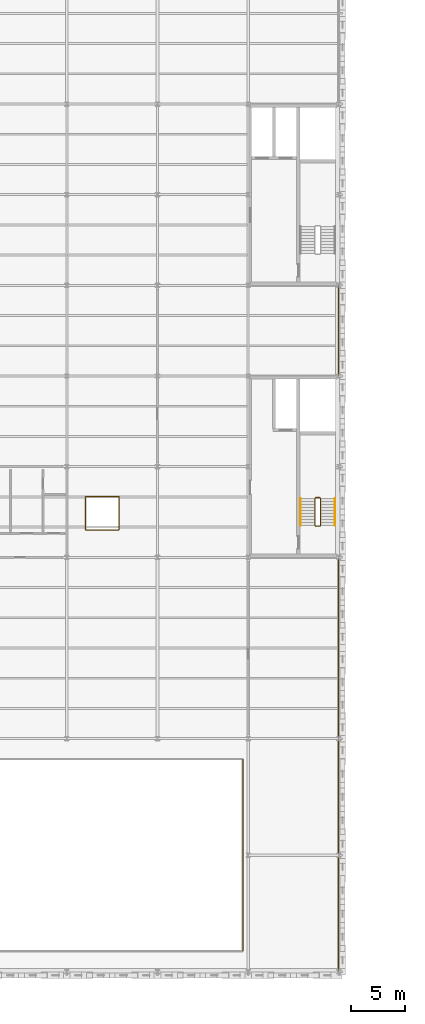
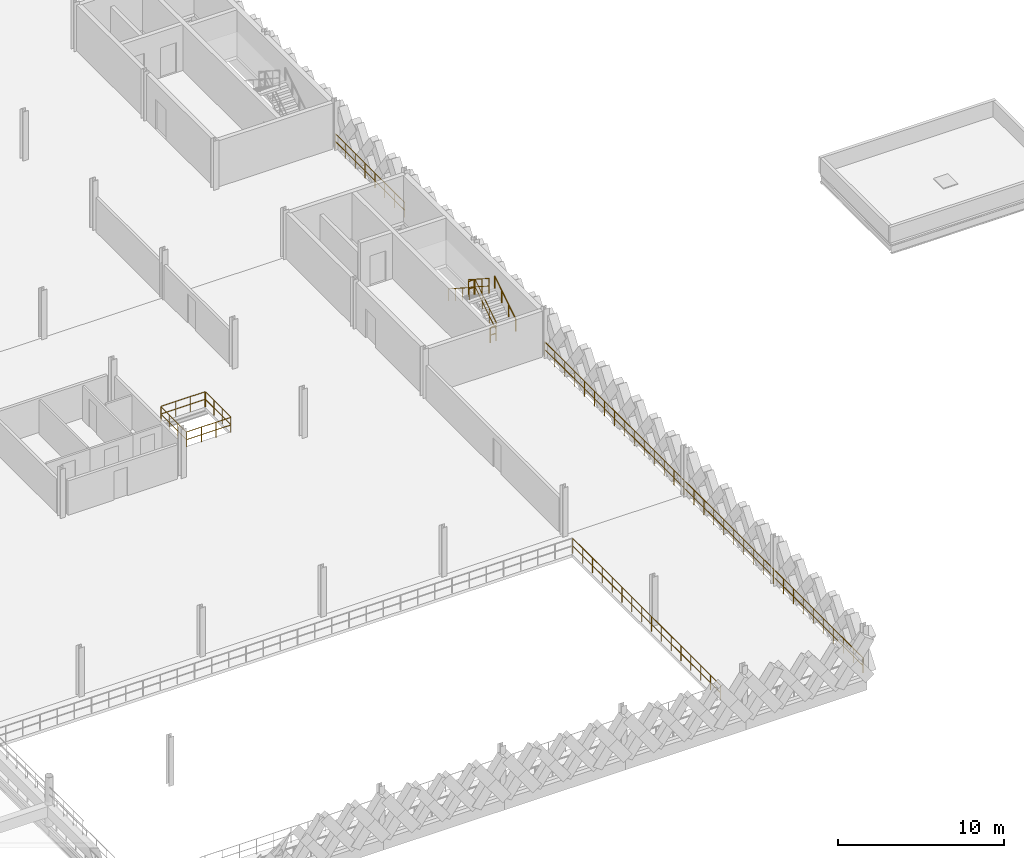
# One storey, part 57 of 62: 13 railings.
"""IFC4 building model written with IfcOpenShell, lengths in metres."""

from ifc_helpers import new_model, si_unit, direction, frame, origin, origin_2d, place, context, subcontext, project, spatial, circle, extrude, material, type_object, element, save


model = new_model("IFC4")

# Units and contexts
model_context = context("Model", 3, precision=1e-05, world=origin(), true_north=direction((0.0, 1.0)))
body_context = subcontext(model_context, "Body", "Model", "MODEL_VIEW")
ifc_project = project(units=[si_unit("LENGTHUNIT", "METRE"), si_unit("AREAUNIT", "SQUARE_METRE"), si_unit("VOLUMEUNIT", "CUBIC_METRE"), si_unit("PLANEANGLEUNIT", "RADIAN"), si_unit("MASSUNIT", "GRAM", prefix="KILO"), si_unit("THERMODYNAMICTEMPERATUREUNIT", "KELVIN"), si_unit("POWERUNIT", "WATT")], contexts=[model_context])

# Site, building, storey
site_placement = place(None, origin())
site = spatial("IfcSite", under=ifc_project, at=site_placement, CompositionType="ELEMENT")
building_placement = place(site_placement, origin())
building = spatial("IfcBuilding", under=site, at=building_placement, Name="Tembeka Court Mobility Hub", CompositionType="ELEMENT")
storey_placement = place(building_placement, frame((0.0, 0.0, 16.199951171875)))
storey = spatial("IfcBuildingStorey", under=building, at=storey_placement, Name="L04", CompositionType="ELEMENT", Elevation=16.199951171875)

# Railings
ifc_material_1 = material(Name="Painted galvanised steel balustrade", Category="steel")
railing_type_1 = type_object("IfcRailingType", Name="RL-GR01", PredefinedType="GUARDRAIL", material=ifc_material_1)
railing_1_placement = place(storey_placement, frame((68.97998046875, 40.949951171875, 0.0)))
element("IfcRailing", 1, at=railing_1_placement, inside=storey, type_object=railing_type_1, Name="Perimeter guard GR01-0135", PredefinedType="GUARDRAIL", context=body_context, shape_type="SweptSolid", body=[
    extrude(circle(Radius=0.02392578125, at=origin_2d()), frame((0.0, 0.0, 1.09619140625), z_axis=(1.0, 0.0, 0.0), x_axis=(0.0, 1.0, 0.0)), (0.0, 0.0, 1.0), 3.0400390625),
    extrude(circle(Radius=0.02392578125, at=origin_2d()), frame((0.0, 0.0, 0.5361328125), z_axis=(1.0, 0.0, 0.0), x_axis=(0.0, 1.0, 0.0)), (0.0, 0.0, 1.0), 3.0400390625),
    extrude(circle(Radius=0.02099609375, at=origin_2d()), origin(), (0.0, 0.0, 1.0), 1.072021484375),
    extrude(circle(Radius=0.02099609375, at=origin_2d()), frame((1.013427734375, 0.0, 0.0)), (0.0, 0.0, 1.0), 1.072021484375),
    extrude(circle(Radius=0.02099609375, at=origin_2d()), frame((2.026611328125, 0.0, 0.0)), (0.0, 0.0, 1.0), 1.072021484375),
    extrude(circle(Radius=0.02099609375, at=origin_2d()), frame((3.0400390625, 0.0, 0.0)), (0.0, 0.0, 1.0), 1.072021484375),
])
railing_2_placement = place(storey_placement, frame((72.050048828125, 40.97998046875, 0.0)))
element("IfcRailing", 2, at=railing_2_placement, inside=storey, type_object=railing_type_1, Name="Perimeter guard GR01-0136", PredefinedType="GUARDRAIL", context=body_context, shape_type="SweptSolid", body=[
    extrude(circle(Radius=0.02392578125, at=origin_2d()), frame((0.0, 0.0, 1.09619140625), z_axis=(0.0, 1.0, 0.0), x_axis=(-1.0, 0.0, 0.0)), (0.0, 0.0, 1.0), 3.0400390625),
    extrude(circle(Radius=0.02392578125, at=origin_2d()), frame((0.0, 0.0, 0.5361328125), z_axis=(0.0, 1.0, 0.0), x_axis=(-1.0, 0.0, 0.0)), (0.0, 0.0, 1.0), 3.0400390625),
    extrude(circle(Radius=0.02099609375, at=origin_2d()), origin(), (0.0, 0.0, 1.0), 1.072021484375),
    extrude(circle(Radius=0.02099609375, at=origin_2d()), frame((0.0, 1.013427734375, 0.0)), (0.0, 0.0, 1.0), 1.072021484375),
    extrude(circle(Radius=0.02099609375, at=origin_2d()), frame((0.0, 2.026611328125, 0.0)), (0.0, 0.0, 1.0), 1.072021484375),
    extrude(circle(Radius=0.02099609375, at=origin_2d()), frame((0.0, 3.0400390625, 0.0)), (0.0, 0.0, 1.0), 1.072021484375),
])
railing_3_placement = place(storey_placement, frame((72.02001953125, 44.050048828125, 0.0)))
element("IfcRailing", 3, at=railing_3_placement, inside=storey, type_object=railing_type_1, Name="Perimeter guard GR01-0137", PredefinedType="GUARDRAIL", context=body_context, shape_type="SweptSolid", body=[
    extrude(circle(Radius=0.02392578125, at=origin_2d()), frame((0.0, 0.0, 1.09619140625), z_axis=(-1.0, 0.0, 0.0), x_axis=(0.0, -1.0, 0.0)), (0.0, 0.0, 1.0), 3.0400390625),
    extrude(circle(Radius=0.02392578125, at=origin_2d()), frame((0.0, 0.0, 0.5361328125), z_axis=(-1.0, 0.0, 0.0), x_axis=(0.0, -1.0, 0.0)), (0.0, 0.0, 1.0), 3.0400390625),
    extrude(circle(Radius=0.02099609375, at=origin_2d()), origin(), (0.0, 0.0, 1.0), 1.072021484375),
    extrude(circle(Radius=0.02099609375, at=origin_2d()), frame((-1.013427734375, 0.0, 0.0)), (0.0, 0.0, 1.0), 1.072021484375),
    extrude(circle(Radius=0.02099609375, at=origin_2d()), frame((-2.026611328125, 0.0, 0.0)), (0.0, 0.0, 1.0), 1.072021484375),
    extrude(circle(Radius=0.02099609375, at=origin_2d()), frame((-3.0400390625, 0.0, 0.0)), (0.0, 0.0, 1.0), 1.072021484375),
])
railing_4_placement = place(storey_placement, frame((68.949951171875, 44.02001953125, 0.0)))
element("IfcRailing", 4, at=railing_4_placement, inside=storey, type_object=railing_type_1, Name="Perimeter guard GR01-0138", PredefinedType="GUARDRAIL", context=body_context, shape_type="SweptSolid", body=[
    extrude(circle(Radius=0.02392578125, at=origin_2d()), frame((0.0, 0.0, 1.09619140625), z_axis=(0.0, -1.0, 0.0), x_axis=(1.0, 0.0, 0.0)), (0.0, 0.0, 1.0), 3.0400390625),
    extrude(circle(Radius=0.02392578125, at=origin_2d()), frame((0.0, 0.0, 0.5361328125), z_axis=(0.0, -1.0, 0.0), x_axis=(1.0, 0.0, 0.0)), (0.0, 0.0, 1.0), 3.0400390625),
    extrude(circle(Radius=0.02099609375, at=origin_2d()), origin(), (0.0, 0.0, 1.0), 1.072021484375),
    extrude(circle(Radius=0.02099609375, at=origin_2d()), frame((0.0, -1.013427734375, 0.0)), (0.0, 0.0, 1.0), 1.072021484375),
    extrude(circle(Radius=0.02099609375, at=origin_2d()), frame((0.0, -2.026611328125, 0.0)), (0.0, 0.0, 1.0), 1.072021484375),
    extrude(circle(Radius=0.02099609375, at=origin_2d()), frame((0.0, -3.0400390625, 0.0)), (0.0, 0.0, 1.0), 1.072021484375),
])
railing_5_placement = place(storey_placement, frame((83.5, 1.929931640625, 0.0)))
element("IfcRailing", 5, at=railing_5_placement, inside=storey, type_object=railing_type_1, Name="Perimeter guard GR01-0140", PredefinedType="GUARDRAIL", context=body_context, shape_type="SweptSolid", body=[
    extrude(circle(Radius=0.02392578125, at=origin_2d()), frame((0.0, 0.0, 1.09619140625), z_axis=(0.0, 1.0, 0.0), x_axis=(-1.0, 0.0, 0.0)), (0.0, 0.0, 1.0), 17.739990234375),
    extrude(circle(Radius=0.02392578125, at=origin_2d()), frame((0.0, 0.0, 0.5361328125), z_axis=(0.0, 1.0, 0.0), x_axis=(-1.0, 0.0, 0.0)), (0.0, 0.0, 1.0), 17.739990234375),
    extrude(circle(Radius=0.02099609375, at=origin_2d()), origin(), (0.0, 0.0, 1.0), 1.072021484375),
    extrude(circle(Radius=0.02099609375, at=origin_2d()), frame((0.0, 1.1826171875, 0.0)), (0.0, 0.0, 1.0), 1.072021484375),
    extrude(circle(Radius=0.02099609375, at=origin_2d()), frame((0.0, 2.365234375, 0.0)), (0.0, 0.0, 1.0), 1.072021484375),
    extrude(circle(Radius=0.02099609375, at=origin_2d()), frame((0.0, 3.548095703125, 0.0)), (0.0, 0.0, 1.0), 1.072021484375),
    extrude(circle(Radius=0.02099609375, at=origin_2d()), frame((0.0, 4.730712890625, 0.0)), (0.0, 0.0, 1.0), 1.072021484375),
    extrude(circle(Radius=0.02099609375, at=origin_2d()), frame((0.0, 5.913330078125, 0.0)), (0.0, 0.0, 1.0), 1.072021484375),
    extrude(circle(Radius=0.02099609375, at=origin_2d()), frame((0.0, 7.095947265625, 0.0)), (0.0, 0.0, 1.0), 1.072021484375),
    extrude(circle(Radius=0.02099609375, at=origin_2d()), frame((0.0, 8.278564453125, 0.0)), (0.0, 0.0, 1.0), 1.072021484375),
    extrude(circle(Radius=0.02099609375, at=origin_2d()), frame((0.0, 9.46142578125, 0.0)), (0.0, 0.0, 1.0), 1.072021484375),
    extrude(circle(Radius=0.02099609375, at=origin_2d()), frame((0.0, 10.64404296875, 0.0)), (0.0, 0.0, 1.0), 1.072021484375),
    extrude(circle(Radius=0.02099609375, at=origin_2d()), frame((0.0, 11.82666015625, 0.0)), (0.0, 0.0, 1.0), 1.072021484375),
    extrude(circle(Radius=0.02099609375, at=origin_2d()), frame((0.0, 13.00927734375, 0.0)), (0.0, 0.0, 1.0), 1.072021484375),
    extrude(circle(Radius=0.02099609375, at=origin_2d()), frame((0.0, 14.19189453125, 0.0)), (0.0, 0.0, 1.0), 1.072021484375),
    extrude(circle(Radius=0.02099609375, at=origin_2d()), frame((0.0, 15.374755859375, 0.0)), (0.0, 0.0, 1.0), 1.072021484375),
    extrude(circle(Radius=0.02099609375, at=origin_2d()), frame((0.0, 16.557373046875, 0.0)), (0.0, 0.0, 1.0), 1.072021484375),
    extrude(circle(Radius=0.02099609375, at=origin_2d()), frame((0.0, 17.739990234375, 0.0)), (0.0, 0.0, 1.0), 1.072021484375),
])
railing_6_placement = place(storey_placement, frame((90.699951171875, 41.35009765625, 0.179931640625)))
element("IfcRailing", 6, at=railing_6_placement, inside=storey, type_object=railing_type_1, Name="L04 ST04 stair guard 1-1", PredefinedType="GUARDRAIL", context=body_context, shape_type="SweptSolid", body=[
    extrude(circle(Radius=0.02392578125, at=origin_2d()), frame((0.0, 0.0, 1.09619140625), z_axis=(0.0, 0.841162588446, 0.540782303519), x_axis=(-1.0, 0.0, 0.0)), (0.0, 0.0, 1.0), 2.995849609375),
    extrude(circle(Radius=0.02392578125, at=origin_2d()), frame((0.0, 0.0, 0.5361328125), z_axis=(0.0, 0.841162588446, 0.540782303519), x_axis=(-1.0, 0.0, 0.0)), (0.0, 0.0, 1.0), 2.995849609375),
    extrude(circle(Radius=0.02099609375, at=origin_2d()), origin(), (0.0, 0.0, 1.0), 1.072021484375),
    extrude(circle(Radius=0.02099609375, at=origin_2d()), frame((0.0, 0.840087890625, 0.5400390625)), (0.0, 0.0, 1.0), 1.072021484375),
    extrude(circle(Radius=0.02099609375, at=origin_2d()), frame((0.0, 1.679931640625, 1.080078125)), (0.0, 0.0, 1.0), 1.072021484375),
    extrude(circle(Radius=0.02099609375, at=origin_2d()), frame((0.0, 2.52001953125, 1.6201171875)), (0.0, 0.0, 1.0), 1.072021484375),
])
railing_7_placement = place(storey_placement, frame((90.64990234375, 43.919921875, 1.800048828125)))
element("IfcRailing", 7, at=railing_7_placement, inside=storey, type_object=railing_type_1, Name="L04 ST04 stair guard 2-1", PredefinedType="GUARDRAIL", context=body_context, shape_type="SweptSolid", body=[
    extrude(circle(Radius=0.02392578125, at=origin_2d()), frame((0.0, 0.0, 1.09619140625), z_axis=(-1.0, 0.0, 0.0), x_axis=(0.0, -1.0, 0.0)), (0.0, 0.0, 1.0), 0.39990234375),
    extrude(circle(Radius=0.02392578125, at=origin_2d()), frame((0.0, 0.0, 0.5361328125), z_axis=(-1.0, 0.0, 0.0), x_axis=(0.0, -1.0, 0.0)), (0.0, 0.0, 1.0), 0.39990234375),
    extrude(circle(Radius=0.02099609375, at=origin_2d()), origin(), (0.0, 0.0, 1.0), 1.072021484375),
    extrude(circle(Radius=0.02099609375, at=origin_2d()), frame((-0.39990234375, 0.0, 0.0)), (0.0, 0.0, 1.0), 1.072021484375),
])
railing_8_placement = place(storey_placement, frame((90.199951171875, 43.8701171875, 1.97998046875)))
element("IfcRailing", 8, at=railing_8_placement, inside=storey, type_object=railing_type_1, Name="L04 ST04 stair guard 3-1", PredefinedType="GUARDRAIL", context=body_context, shape_type="SweptSolid", body=[
    extrude(circle(Radius=0.02392578125, at=origin_2d()), frame((0.0, 0.0, 1.09619140625), z_axis=(0.0, -0.841162588446, 0.540782303519), x_axis=(1.0, 0.0, 0.0)), (0.0, 0.0, 1.0), 2.995849609375),
    extrude(circle(Radius=0.02392578125, at=origin_2d()), frame((0.0, 0.0, 0.5361328125), z_axis=(0.0, -0.841162588446, 0.540782303519), x_axis=(1.0, 0.0, 0.0)), (0.0, 0.0, 1.0), 2.995849609375),
    extrude(circle(Radius=0.02099609375, at=origin_2d()), origin(), (0.0, 0.0, 1.0), 1.072021484375),
    extrude(circle(Radius=0.02099609375, at=origin_2d()), frame((0.0, -0.840087890625, 0.5400390625)), (0.0, 0.0, 1.0), 1.072021484375),
    extrude(circle(Radius=0.02099609375, at=origin_2d()), frame((0.0, -1.679931640625, 1.080078125)), (0.0, 0.0, 1.0), 1.072021484375),
    extrude(circle(Radius=0.02099609375, at=origin_2d()), frame((0.0, -2.52001953125, 1.6201171875)), (0.0, 0.0, 1.0), 1.072021484375),
])
railing_9_placement = place(storey_placement, frame((90.64990234375, 41.300048828125, 0.0)))
element("IfcRailing", 9, at=railing_9_placement, inside=storey, type_object=railing_type_1, Name="L04 ST04 stair guard 4-1", PredefinedType="GUARDRAIL", context=body_context, shape_type="SweptSolid", body=[
    extrude(circle(Radius=0.02392578125, at=origin_2d()), frame((0.0, 0.0, 1.09619140625), z_axis=(-1.0, 0.0, 0.0), x_axis=(0.0, -1.0, 0.0)), (0.0, 0.0, 1.0), 0.39990234375),
    extrude(circle(Radius=0.02392578125, at=origin_2d()), frame((0.0, 0.0, 0.5361328125), z_axis=(-1.0, 0.0, 0.0), x_axis=(0.0, -1.0, 0.0)), (0.0, 0.0, 1.0), 0.39990234375),
    extrude(circle(Radius=0.02099609375, at=origin_2d()), origin(), (0.0, 0.0, 1.0), 1.072021484375),
    extrude(circle(Radius=0.02099609375, at=origin_2d()), frame((-0.39990234375, 0.0, 0.0)), (0.0, 0.0, 1.0), 1.072021484375),
])
railing_type_2 = type_object("IfcRailingType", Name="RL-GR02", PredefinedType="GUARDRAIL", material=ifc_material_1)
railing_10_placement = place(storey_placement, frame((92.35009765625, 0.080078125, 0.0)))
element("IfcRailing", 10, at=railing_10_placement, inside=storey, type_object=railing_type_2, Name="Perimeter guard GR02-0152", PredefinedType="GUARDRAIL", context=body_context, shape_type="SweptSolid", body=[
    extrude(circle(Radius=0.02392578125, at=origin_2d()), frame((0.0, 0.0, 1.09619140625), z_axis=(0.0, 1.0, 0.0), x_axis=(-1.0, 0.0, 0.0)), (0.0, 0.0, 1.0), 38.2900390625),
    extrude(circle(Radius=0.02392578125, at=origin_2d()), frame((0.0, 0.0, 0.5361328125), z_axis=(0.0, 1.0, 0.0), x_axis=(-1.0, 0.0, 0.0)), (0.0, 0.0, 1.0), 38.2900390625),
    extrude(circle(Radius=0.02099609375, at=origin_2d()), origin(), (0.0, 0.0, 1.0), 1.072021484375),
    extrude(circle(Radius=0.02099609375, at=origin_2d()), frame((0.0, 1.196533203125, 0.0)), (0.0, 0.0, 1.0), 1.072021484375),
    extrude(circle(Radius=0.02099609375, at=origin_2d()), frame((0.0, 2.39306640625, 0.0)), (0.0, 0.0, 1.0), 1.072021484375),
    extrude(circle(Radius=0.02099609375, at=origin_2d()), frame((0.0, 3.589599609375, 0.0)), (0.0, 0.0, 1.0), 1.072021484375),
    extrude(circle(Radius=0.02099609375, at=origin_2d()), frame((0.0, 4.7861328125, 0.0)), (0.0, 0.0, 1.0), 1.072021484375),
    extrude(circle(Radius=0.02099609375, at=origin_2d()), frame((0.0, 5.98291015625, 0.0)), (0.0, 0.0, 1.0), 1.072021484375),
    extrude(circle(Radius=0.02099609375, at=origin_2d()), frame((0.0, 7.179443359375, 0.0)), (0.0, 0.0, 1.0), 1.072021484375),
    extrude(circle(Radius=0.02099609375, at=origin_2d()), frame((0.0, 8.3759765625, 0.0)), (0.0, 0.0, 1.0), 1.072021484375),
    extrude(circle(Radius=0.02099609375, at=origin_2d()), frame((0.0, 9.572509765625, 0.0)), (0.0, 0.0, 1.0), 1.072021484375),
    extrude(circle(Radius=0.02099609375, at=origin_2d()), frame((0.0, 10.76904296875, 0.0)), (0.0, 0.0, 1.0), 1.072021484375),
    extrude(circle(Radius=0.02099609375, at=origin_2d()), frame((0.0, 11.965576171875, 0.0)), (0.0, 0.0, 1.0), 1.072021484375),
    extrude(circle(Radius=0.02099609375, at=origin_2d()), frame((0.0, 13.162109375, 0.0)), (0.0, 0.0, 1.0), 1.072021484375),
    extrude(circle(Radius=0.02099609375, at=origin_2d()), frame((0.0, 14.35888671875, 0.0)), (0.0, 0.0, 1.0), 1.072021484375),
    extrude(circle(Radius=0.02099609375, at=origin_2d()), frame((0.0, 15.555419921875, 0.0)), (0.0, 0.0, 1.0), 1.072021484375),
    extrude(circle(Radius=0.02099609375, at=origin_2d()), frame((0.0, 16.751953125, 0.0)), (0.0, 0.0, 1.0), 1.072021484375),
    extrude(circle(Radius=0.02099609375, at=origin_2d()), frame((0.0, 17.948486328125, 0.0)), (0.0, 0.0, 1.0), 1.072021484375),
    extrude(circle(Radius=0.02099609375, at=origin_2d()), frame((0.0, 19.14501953125, 0.0)), (0.0, 0.0, 1.0), 1.072021484375),
    extrude(circle(Radius=0.02099609375, at=origin_2d()), frame((0.0, 20.341552734375, 0.0)), (0.0, 0.0, 1.0), 1.072021484375),
    extrude(circle(Radius=0.02099609375, at=origin_2d()), frame((0.0, 21.5380859375, 0.0)), (0.0, 0.0, 1.0), 1.072021484375),
    extrude(circle(Radius=0.02099609375, at=origin_2d()), frame((0.0, 22.734619140625, 0.0)), (0.0, 0.0, 1.0), 1.072021484375),
    extrude(circle(Radius=0.02099609375, at=origin_2d()), frame((0.0, 23.93115234375, 0.0)), (0.0, 0.0, 1.0), 1.072021484375),
    extrude(circle(Radius=0.02099609375, at=origin_2d()), frame((0.0, 25.1279296875, 0.0)), (0.0, 0.0, 1.0), 1.072021484375),
    extrude(circle(Radius=0.02099609375, at=origin_2d()), frame((0.0, 26.324462890625, 0.0)), (0.0, 0.0, 1.0), 1.072021484375),
    extrude(circle(Radius=0.02099609375, at=origin_2d()), frame((0.0, 27.52099609375, 0.0)), (0.0, 0.0, 1.0), 1.072021484375),
    extrude(circle(Radius=0.02099609375, at=origin_2d()), frame((0.0, 28.717529296875, 0.0)), (0.0, 0.0, 1.0), 1.072021484375),
    extrude(circle(Radius=0.02099609375, at=origin_2d()), frame((0.0, 29.9140625, 0.0)), (0.0, 0.0, 1.0), 1.072021484375),
    extrude(circle(Radius=0.02099609375, at=origin_2d()), frame((0.0, 31.110595703125, 0.0)), (0.0, 0.0, 1.0), 1.072021484375),
    extrude(circle(Radius=0.02099609375, at=origin_2d()), frame((0.0, 32.30712890625, 0.0)), (0.0, 0.0, 1.0), 1.072021484375),
    extrude(circle(Radius=0.02099609375, at=origin_2d()), frame((0.0, 33.50390625, 0.0)), (0.0, 0.0, 1.0), 1.072021484375),
    extrude(circle(Radius=0.02099609375, at=origin_2d()), frame((0.0, 34.700439453125, 0.0)), (0.0, 0.0, 1.0), 1.072021484375),
    extrude(circle(Radius=0.02099609375, at=origin_2d()), frame((0.0, 35.89697265625, 0.0)), (0.0, 0.0, 1.0), 1.072021484375),
    extrude(circle(Radius=0.02099609375, at=origin_2d()), frame((0.0, 37.093505859375, 0.0)), (0.0, 0.0, 1.0), 1.072021484375),
    extrude(circle(Radius=0.02099609375, at=origin_2d()), frame((0.0, 38.2900390625, 0.0)), (0.0, 0.0, 1.0), 1.072021484375),
])
railing_11_placement = place(storey_placement, frame((92.35009765625, 55.22998046875, 0.0)))
element("IfcRailing", 11, at=railing_11_placement, inside=storey, type_object=railing_type_2, Name="Perimeter guard GR02-0153", PredefinedType="GUARDRAIL", context=body_context, shape_type="SweptSolid", body=[
    extrude(circle(Radius=0.02392578125, at=origin_2d()), frame((0.0, 0.0, 1.09619140625), z_axis=(0.0, 1.0, 0.0), x_axis=(-1.0, 0.0, 0.0)), (0.0, 0.0, 1.0), 8.340087890625),
    extrude(circle(Radius=0.02392578125, at=origin_2d()), frame((0.0, 0.0, 0.5361328125), z_axis=(0.0, 1.0, 0.0), x_axis=(-1.0, 0.0, 0.0)), (0.0, 0.0, 1.0), 8.340087890625),
    extrude(circle(Radius=0.02099609375, at=origin_2d()), origin(), (0.0, 0.0, 1.0), 1.072021484375),
    extrude(circle(Radius=0.02099609375, at=origin_2d()), frame((0.0, 1.19140625, 0.0)), (0.0, 0.0, 1.0), 1.072021484375),
    extrude(circle(Radius=0.02099609375, at=origin_2d()), frame((0.0, 2.3828125, 0.0)), (0.0, 0.0, 1.0), 1.072021484375),
    extrude(circle(Radius=0.02099609375, at=origin_2d()), frame((0.0, 3.57421875, 0.0)), (0.0, 0.0, 1.0), 1.072021484375),
    extrude(circle(Radius=0.02099609375, at=origin_2d()), frame((0.0, 4.765869140625, 0.0)), (0.0, 0.0, 1.0), 1.072021484375),
    extrude(circle(Radius=0.02099609375, at=origin_2d()), frame((0.0, 5.957275390625, 0.0)), (0.0, 0.0, 1.0), 1.072021484375),
    extrude(circle(Radius=0.02099609375, at=origin_2d()), frame((0.0, 7.148681640625, 0.0)), (0.0, 0.0, 1.0), 1.072021484375),
    extrude(circle(Radius=0.02099609375, at=origin_2d()), frame((0.0, 8.340087890625, 0.0)), (0.0, 0.0, 1.0), 1.072021484375),
])
ifc_material_2 = material(Name="Brushed stainless steel handrail", Category="steel")
railing_type_3 = type_object("IfcRailingType", Name="RL-HR01", PredefinedType="HANDRAIL", material=ifc_material_2)
railing_12_placement = place(storey_placement, frame((92.050048828125, 41.35009765625, 0.179931640625)))
element("IfcRailing", 12, at=railing_12_placement, inside=storey, type_object=railing_type_3, Name="L04 ST04 handrail 1-1", PredefinedType="HANDRAIL", context=body_context, shape_type="SweptSolid", body=[
    extrude(circle(Radius=0.02392578125, at=origin_2d()), frame((0.0, 0.0, 0.89599609375), z_axis=(0.0, 0.841162588446, 0.540782303519), x_axis=(-1.0, 0.0, 0.0)), (0.0, 0.0, 1.0), 2.995849609375),
    extrude(circle(Radius=0.02099609375, at=origin_2d()), origin(), (0.0, 0.0, 1.0), 0.871826171875),
    extrude(circle(Radius=0.02099609375, at=origin_2d()), frame((0.0, 0.840087890625, 0.5400390625)), (0.0, 0.0, 1.0), 0.871826171875),
    extrude(circle(Radius=0.02099609375, at=origin_2d()), frame((0.0, 1.679931640625, 1.080078125)), (0.0, 0.0, 1.0), 0.871826171875),
    extrude(circle(Radius=0.02099609375, at=origin_2d()), frame((0.0, 2.52001953125, 1.6201171875)), (0.0, 0.0, 1.0), 0.871826171875),
])
railing_13_placement = place(storey_placement, frame((88.85009765625, 43.8701171875, 1.97998046875)))
element("IfcRailing", 13, at=railing_13_placement, inside=storey, type_object=railing_type_3, Name="L04 ST04 handrail 2-1", PredefinedType="HANDRAIL", context=body_context, shape_type="SweptSolid", body=[
    extrude(circle(Radius=0.02392578125, at=origin_2d()), frame((0.0, 0.0, 0.89599609375), z_axis=(0.0, -0.841162588446, 0.540782303519), x_axis=(1.0, 0.0, 0.0)), (0.0, 0.0, 1.0), 2.995849609375),
    extrude(circle(Radius=0.02099609375, at=origin_2d()), origin(), (0.0, 0.0, 1.0), 0.871826171875),
    extrude(circle(Radius=0.02099609375, at=origin_2d()), frame((0.0, -0.840087890625, 0.5400390625)), (0.0, 0.0, 1.0), 0.871826171875),
    extrude(circle(Radius=0.02099609375, at=origin_2d()), frame((0.0, -1.679931640625, 1.080078125)), (0.0, 0.0, 1.0), 0.871826171875),
    extrude(circle(Radius=0.02099609375, at=origin_2d()), frame((0.0, -2.52001953125, 1.6201171875)), (0.0, 0.0, 1.0), 0.871826171875),
])

save(model, "model.ifc")
